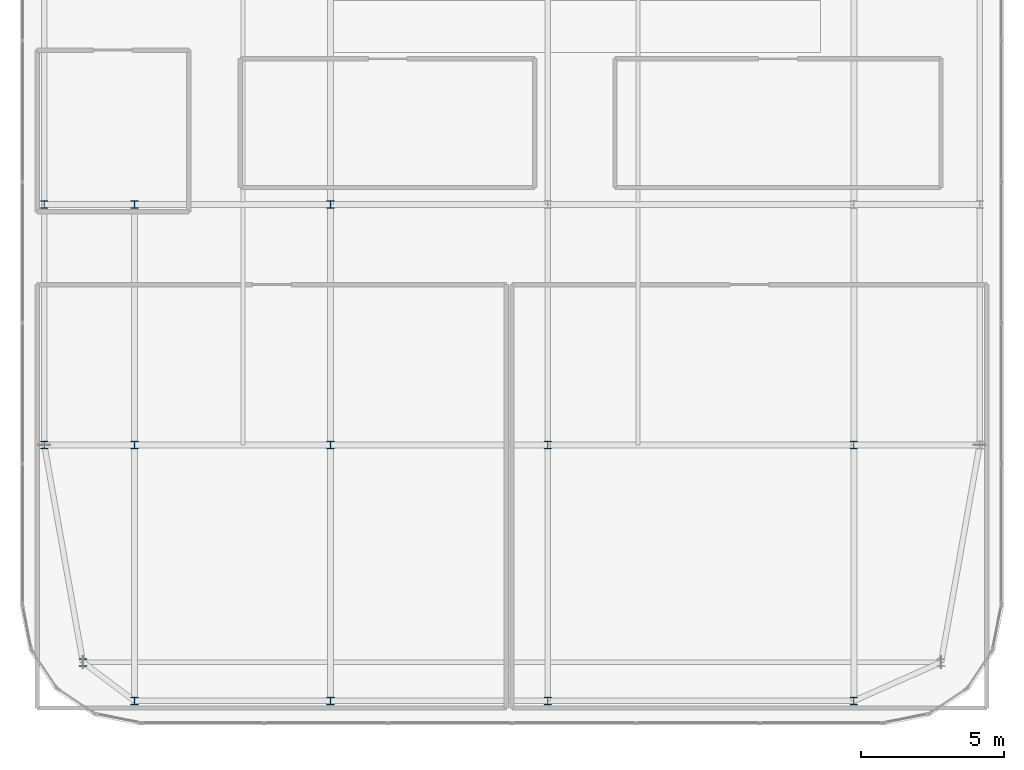
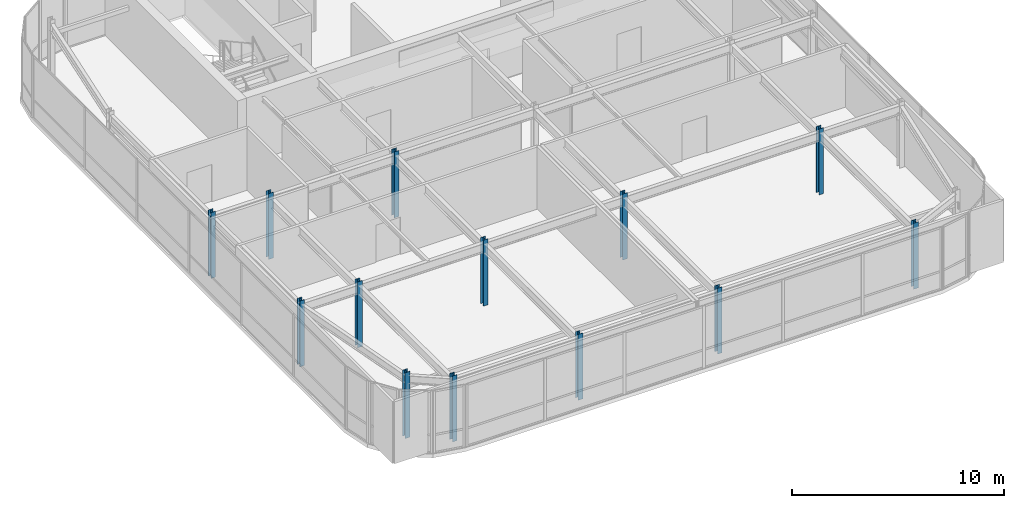
# One storey, part 1 of 36: 13 columns.
"""IFC4 building model written with IfcOpenShell, lengths in metres."""

from ifc_helpers import new_model, si_unit, direction, frame, origin, origin_2d, place, context, subcontext, project, spatial, i_section, extrude, source, transform, mapped, material, material_profile, profile_set, type_object, type_shapes, element, save


model = new_model("IFC4")

# Units and contexts
model_context = context("Model", 3, precision=1e-05, world=origin(), true_north=direction((0.0, 1.0)))
body_context = subcontext(model_context, "Body", "Model", "MODEL_VIEW")
ifc_project = project(units=[si_unit("LENGTHUNIT", "METRE"), si_unit("AREAUNIT", "SQUARE_METRE"), si_unit("VOLUMEUNIT", "CUBIC_METRE"), si_unit("PLANEANGLEUNIT", "RADIAN"), si_unit("MASSUNIT", "GRAM", prefix="KILO")], contexts=[model_context])

# Site, building, storey
site_placement = place(None, origin())
site = spatial("IfcSite", under=ifc_project, at=site_placement, CompositionType="ELEMENT")
building_placement = place(site_placement, origin())
building = spatial("IfcBuilding", under=site, at=building_placement, Name="Tolvann Quenvar Hotel", CompositionType="ELEMENT")
storey_placement = place(building_placement, frame((0.0, 0.0, 294.75)))
storey = spatial("IfcBuildingStorey", under=building, at=storey_placement, Name="L78", CompositionType="ELEMENT", Elevation=294.75)

# Columns
ifc_material = material(Name="Steel Grade 350", Category="steel")
ifc_material_profile = material_profile(ifc_material, i_section(OverallWidth=0.256103515625, OverallDepth=0.260009765625, WebThickness=0.010498046875, FlangeThickness=0.017333984375, FilletRadius=0.013916015625, at=origin_2d()), Name="250UC90")
ifc_profile_set = profile_set([ifc_material_profile], Name="Steel Grade 350")
column_type = type_object("IfcColumnType", Name="COL_250UC90", PredefinedType="COLUMN", material=ifc_profile_set)
shared_shape = source(origin(), body_context, "Body", "SweptSolid", [
    extrude(i_section(OverallWidth=0.256103515625, OverallDepth=0.260009765625, WebThickness=0.010498046875, FlangeThickness=0.017333984375, FilletRadius=0.013916015625, at=origin_2d()), origin(), (0.0, 0.0, 1.0), 3.800048828125),
])
type_shapes(column_type, [shared_shape])
for number, where, z_axis, x_axis, name in (
    (1, (5.800048828125, 8.39990234375, 0.0), (0.0, 0.0, 1.0), (1.0, 0.0, 0.0), "Column B2 (L78)"),
    (2, (4.449951171875, 16.0, 0.0), (0.0, 0.0, 1.0), (1.0, 0.0, 0.0), "Column B4 (L78)"),
    (3, (4.449951171875, 24.39990234375, 0.0), (0.0, 0.0, 1.0), (1.0, 0.0, 0.0), "Column B5 (L78)"),
    (4, (7.60009765625, 7.050048828125, 0.0), (0.0, 0.0, 1.0), (1.0, 0.0, 0.0), "Column C2 (L78)"),
    (5, (7.60009765625, 16.0, 0.0), (0.0, 0.0, 1.0), (1.0, 0.0, 0.0), "Column C4 (L78)"),
    (6, (7.60009765625, 24.39990234375, 0.0), (0.0, 0.0, 1.0), (1.0, 0.0, 0.0), "Column C5 (L78)"),
    (7, (14.449951171875, 7.050048828125, 0.0), (0.0, 0.0, 1.0), (1.0, 0.0, 0.0), "Column D2 (L78)"),
    (8, (14.449951171875, 16.0, 0.0), (0.0, 0.0, 1.0), (1.0, 0.0, 0.0), "Column D4 (L78)"),
    (9, (14.449951171875, 24.39990234375, 0.0), (0.0, 0.0, 1.0), (1.0, 0.0, 0.0), "Column D5 (L78)"),
    (10, (22.050048828125, 7.050048828125, 0.0), (0.0, 0.0, 1.0), (1.0, 0.0, 0.0), "Column E2 (L78)"),
    (11, (22.050048828125, 16.0, 0.0), (0.0, 0.0, 1.0), (1.0, 0.0, 0.0), "Column E4 (L78)"),
    (12, (32.75, 7.050048828125, 0.0), (0.0, 0.0, 1.0), (1.0, 0.0, 0.0), "Column FP2 (L78)"),
    (13, (32.75, 16.0, 0.0), (0.0, 0.0, 1.0), (1.0, 0.0, 0.0), "Column FP4 (L78)"),
):
    element("IfcColumn", number, at=place(storey_placement, frame(where, z_axis=z_axis, x_axis=x_axis)), inside=storey, type_object=column_type, Name=name, PredefinedType="COLUMN", context=body_context, shape_type="MappedRepresentation", body=[
        mapped(shared_shape, transform((0.0, 0.0, 0.0), x_axis=(1.0, 0.0, 0.0), y_axis=(0.0, 1.0, 0.0), z_axis=(0.0, 0.0, 1.0), scale=1.0)),
    ])

save(model, "model.ifc")
